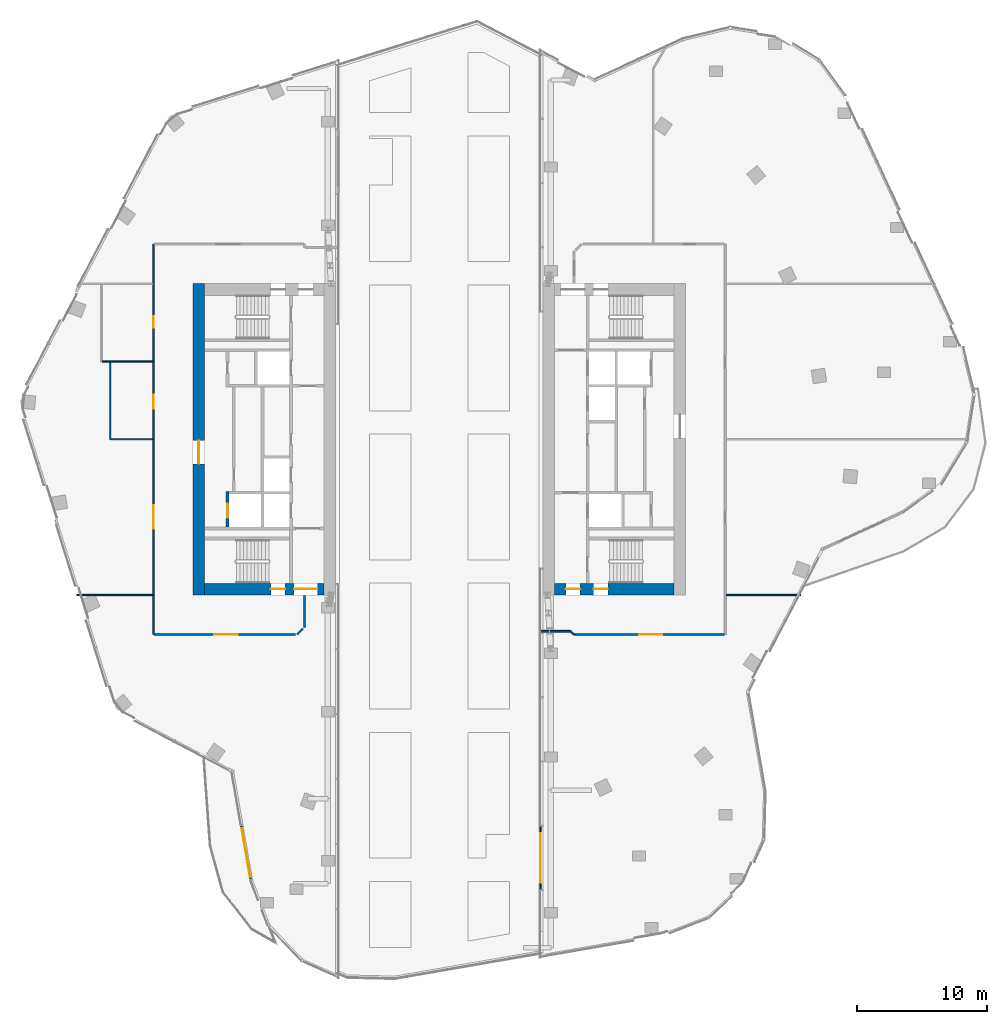
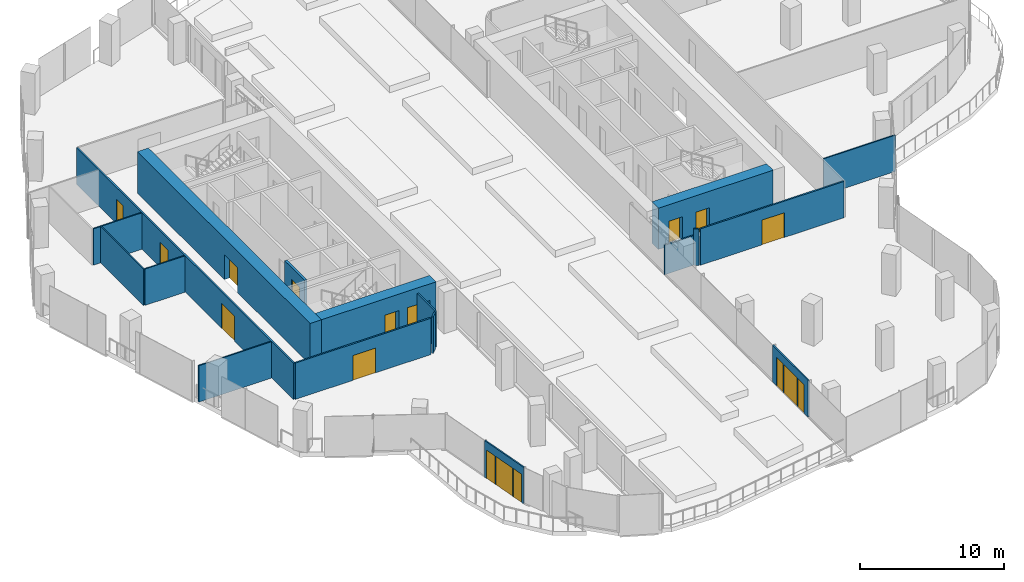
# One storey, part 19 of 26: 18 walls, 13 doors, 4 windows, 17 openings.
"""IFC4 building model written with IfcOpenShell, lengths in metres."""

import ifcopenshell
import ifcopenshell.guid

model = None  # the IFC model being written
_history = None  # IfcOwnerHistory: only IFC2X3 demands one
_inside = {}  # id of a spatial element -> (the spatial element, [elements in it])
_under = {}  # id of a project, library or spatial element -> (it, [spatial elements below it])
_declared = {}  # id of a project -> (the project, [libraries it declares])
_typed = {}  # id of a type object -> (the type object, [elements of that type])
_made_of = {}  # id of a material, layer set ... -> (it, [elements and type objects made of it])


def new_model(schema):
    """Start an empty IFC model of exactly this schema.

    Asked for "IFC4X3", IfcOpenShell would pick the latest addendum, in which some entities
    have other attributes; the version numbers below select the first issue.
    IFC2X3 requires an IfcOwnerHistory on every rooted entity: one is made here for all.
    """
    global model, _history
    if schema == "IFC4X3":
        model = ifcopenshell.file(schema_version=(4, 3, 0, 0))
    else:
        model = ifcopenshell.file(schema=schema)
    _inside.clear()
    _under.clear()
    _declared.clear()
    _typed.clear()
    _made_of.clear()
    _history = None
    if model.schema == "IFC2X3":
        org = make("IfcOrganization", Name="unknown")
        user = make(
            "IfcPersonAndOrganization",
            ThePerson=make("IfcPerson", FamilyName="unknown"),
            TheOrganization=org,
        )
        app = make(
            "IfcApplication",
            ApplicationDeveloper=org,
            Version="unknown",
            ApplicationFullName="unknown",
            ApplicationIdentifier="unknown",
        )
        _history = make(
            "IfcOwnerHistory",
            OwningUser=user,
            OwningApplication=app,
            ChangeAction="ADDED",
            CreationDate=0,
        )
    return model


def make(cls, **values):
    """One entity of the class cls with the attributes given. An attribute that is None is left unset."""
    return model.create_entity(
        cls, **{name: value for name, value in values.items() if value is not None}
    )


def rooted(cls, **values):
    """An entity with a GlobalId (a new one), such as an element, a storey or a relation."""
    return make(cls, GlobalId=ifcopenshell.guid.new(), OwnerHistory=_history, **values)


def si_unit(unit_type, name, prefix=None):
    """IfcSIUnit, for example si_unit("LENGTHUNIT", "METRE", prefix="MILLI")."""
    return make("IfcSIUnit", UnitType=unit_type, Prefix=prefix, Name=name)


def assignment(units):
    """IfcUnitAssignment: the units of a project."""
    return None if units is None else make("IfcUnitAssignment", Units=units)


def point(xyz):
    """IfcCartesianPoint."""
    return None if xyz is None else make("IfcCartesianPoint", Coordinates=xyz)


def direction(xyz):
    """IfcDirection."""
    return None if xyz is None else make("IfcDirection", DirectionRatios=xyz)


def frame(location, z_axis=None, x_axis=None):
    """IfcAxis2Placement3D, a coordinate frame: its origin and axes. An axis left out is left unset."""
    return make(
        "IfcAxis2Placement3D",
        Location=point(location),
        Axis=direction(z_axis),
        RefDirection=direction(x_axis),
    )


def frame_2d(location, x_axis=None):
    """IfcAxis2Placement2D, a coordinate frame in the plane: its origin and x axis."""
    return make(
        "IfcAxis2Placement2D", Location=point(location), RefDirection=direction(x_axis)
    )


def origin():
    """The frame at (0, 0, 0) with its axes left unset."""
    return frame((0.0, 0.0, 0.0))


def place(relative_to, where):
    """IfcLocalPlacement: puts the frame where relative to a parent placement (None: the world)."""
    return make(
        "IfcLocalPlacement", PlacementRelTo=relative_to, RelativePlacement=where
    )


def context(
    kind, dimensions, precision=None, world=None, true_north=None, identifier=None
):
    """IfcGeometricRepresentationContext, for example the 3D "Model" context."""
    return make(
        "IfcGeometricRepresentationContext",
        ContextIdentifier=identifier,
        ContextType=kind,
        CoordinateSpaceDimension=dimensions,
        Precision=precision,
        WorldCoordinateSystem=world,
        TrueNorth=true_north,
    )


def subcontext(parent, identifier, kind, view, scale=None):
    """IfcGeometricRepresentationSubContext, for example "Body" below "Model"."""
    return make(
        "IfcGeometricRepresentationSubContext",
        ContextIdentifier=identifier,
        ContextType=kind,
        ParentContext=parent,
        TargetScale=scale,
        TargetView=view,
    )


def project(units=None, contexts=None):
    """IfcProject with its units and contexts."""
    return rooted(
        "IfcProject",
        Name="project",
        RepresentationContexts=contexts,
        UnitsInContext=assignment(units),
    )


def spatial(cls, under=None, at=None, **own):
    """A site, building, storey or space (cls), placed at a placement, below another one or the project."""
    s = rooted(cls, ObjectPlacement=at, **own)
    if under is not None:
        _under.setdefault(under.id(), (under, []))[1].append(s)
    return s


def profile(cls, at=None, kind="AREA", **sizes):
    """A parametric profile (cls). Its sizes go by their IFC names, for example OverallWidth=200.0."""
    return make(cls, ProfileType=kind, Position=at, **sizes)


def rectangle(**sizes):
    """IfcRectangleProfileDef."""
    return profile("IfcRectangleProfileDef", **sizes)


def extrude(swept, where, along, depth):
    """IfcExtrudedAreaSolid: the profile swept, set in the frame where, extruded along a direction by depth."""
    return make(
        "IfcExtrudedAreaSolid",
        SweptArea=swept,
        Position=where,
        ExtrudedDirection=direction(along),
        Depth=depth,
    )


def shape(context_of_items, identifier, shape_type, items):
    """IfcShapeRepresentation: the items that make up one representation, for example the "Body"."""
    return make(
        "IfcShapeRepresentation",
        ContextOfItems=context_of_items,
        RepresentationIdentifier=identifier,
        RepresentationType=shape_type,
        Items=items,
    )


def material(Name=None, Category=None):
    """IfcMaterial."""
    return make("IfcMaterial", Name=Name, Category=Category)


def layer(
    of_material, thickness, ventilated=None, Name=None, Category=None, Priority=None
):
    """IfcMaterialLayer: one layer of a wall or slab, of a material (None: an air gap)."""
    return make(
        "IfcMaterialLayer",
        Material=of_material,
        LayerThickness=thickness,
        IsVentilated=ventilated,
        Name=Name,
        Category=Category,
        Priority=Priority,
    )


def layer_set(layers, Name=None):
    """IfcMaterialLayerSet."""
    return make("IfcMaterialLayerSet", MaterialLayers=layers, LayerSetName=Name)


def made_of(thing, what):
    """Note that an element or type object is made of a material, layer set ...; save() writes the relation."""
    if what is not None:
        _made_of.setdefault(what.id(), (what, []))[1].append(thing)
    return thing


def type_object(cls, material=None, **own):
    """A type object (cls), such as IfcWallType, which elements share."""
    return made_of(rooted(cls, **own), material)


def element(
    cls,
    number,
    at=None,
    inside=None,
    cuts=None,
    type_object=None,
    material=None,
    context=None,
    identifier="Body",
    shape_type=None,
    held_by="IfcProductDefinitionShape",
    body=None,
    shapes=None,
    **own,
):
    """One element of the class cls, such as IfcWall. Its Tag is "e" and its number.

    at: its placement. inside: the storey or other place that contains it. cuts: it is an
    opening in that element (IfcRelVoidsElement). A single representation is given by context,
    identifier, shape_type and body (its items); several are given by shapes. held_by: the class
    of the entity that holds the representations. save() writes the other relations.
    """
    e = rooted(cls, Tag="e%d" % number, ObjectPlacement=at, **own)
    if body is not None:
        shapes = [shape(context, identifier, shape_type, body)]
    if shapes is not None:
        e.Representation = make(held_by, Representations=shapes)
    if inside is not None:
        _inside.setdefault(inside.id(), (inside, []))[1].append(e)
    if cuts is not None:
        rooted(
            "IfcRelVoidsElement", RelatingBuildingElement=cuts, RelatedOpeningElement=e
        )
    if type_object is not None:
        _typed.setdefault(type_object.id(), (type_object, []))[1].append(e)
    return made_of(e, material)


def fill(opening, filler):
    """IfcRelFillsElement: the door or window that sits in an opening."""
    return rooted(
        "IfcRelFillsElement",
        RelatingOpeningElement=opening,
        RelatedBuildingElement=filler,
    )


def aggregate(whole, parts):
    """IfcRelAggregates: a whole, such as a stair, and the parts it consists of."""
    return rooted("IfcRelAggregates", RelatingObject=whole, RelatedObjects=parts)


def save(model, path):
    """Write the relations noted so far, then the file.

    IfcRelAggregates (storeys below a building ...), IfcRelContainedInSpatialStructure (elements
    in a storey), IfcRelDefinesByType, IfcRelAssociatesMaterial and IfcRelDeclares: one each for
    every whole, place, type object, material and project.
    """
    for whole, parts in _under.values():
        aggregate(whole, parts)
    for where, things in _inside.values():
        rooted(
            "IfcRelContainedInSpatialStructure",
            RelatedElements=things,
            RelatingStructure=where,
        )
    for kind, things in _typed.values():
        rooted("IfcRelDefinesByType", RelatedObjects=things, RelatingType=kind)
    for what, things in _made_of.values():
        rooted("IfcRelAssociatesMaterial", RelatedObjects=things, RelatingMaterial=what)
    for by, libraries in _declared.values():
        rooted("IfcRelDeclares", RelatingContext=by, RelatedDefinitions=libraries)
    model.write(path)


model = new_model("IFC4")

# Units and contexts
model_context = context("Model", 3, precision=1e-05, world=origin(), true_north=direction((0.0, 1.0)))
body_context = subcontext(model_context, "Body", "Model", "MODEL_VIEW")
ifc_project = project(units=[si_unit("LENGTHUNIT", "METRE"), si_unit("AREAUNIT", "SQUARE_METRE"), si_unit("VOLUMEUNIT", "CUBIC_METRE"), si_unit("PLANEANGLEUNIT", "RADIAN"), si_unit("MASSUNIT", "GRAM", prefix="KILO")], contexts=[model_context])

# Site, building, storey
site_placement = place(None, origin())
site = spatial("IfcSite", under=ifc_project, at=site_placement, CompositionType="ELEMENT")
building_placement = place(site_placement, origin())
building = spatial("IfcBuilding", under=site, at=building_placement, Name="Orlundy Tower", CompositionType="ELEMENT")
storey_placement = place(building_placement, frame((0.0, 0.0, 253.5)))
storey = spatial("IfcBuildingStorey", under=building, at=storey_placement, Name="L67", CompositionType="ELEMENT", Elevation=253.5)

# Wall, openings, doors
ifc_material_1 = material(Name="Concrete C60/75", Category="concrete")
ifc_layer_1 = layer(ifc_material_1, 0.89990234375)
ifc_layer_set_1 = layer_set([ifc_layer_1], Name="CORE WALL 900 C60/75")
wall_type_1 = type_object("IfcWallType", Name="CORE WALL 900 C60/75", PredefinedType="SHEAR", material=ifc_layer_set_1)
wall_1_placement = place(storey_placement, frame((-18.10009765625, -11.550048828125, 0.0), z_axis=(0.0, 0.0, 1.0), x_axis=(1.0, 0.0, 0.0)))
wall_1 = element("IfcWall", 1, at=wall_1_placement, inside=storey, type_object=wall_type_1, Name="Core wall W-S L67", PredefinedType="SHEAR", context=body_context, shape_type="SweptSolid", body=[
    extrude(rectangle(XDim=9.2001953125, YDim=0.89990234375, at=frame_2d((4.60009765625, 0.0))), origin(), (0.0, 0.0, 1.0), 3.5),
])
opening_1_placement = place(wall_1_placement, frame((6.89990234375, 0.0, 0.0)))
opening_1 = element("IfcOpeningElement", 2, at=opening_1_placement, cuts=wall_1, Name="Opening 51012", PredefinedType="OPENING", context=body_context, shape_type="SweptSolid", body=[
    extrude(rectangle(XDim=1.800048828125, YDim=2.10009765625, at=frame_2d((0.89990234375, 1.050048828125))), frame((0.0, 0.4599609375, 0.0), z_axis=(0.0, -1.0, 0.0), x_axis=(1.0, 0.0, 0.0)), (0.0, 0.0, 1.0), 0.919921875),
])
opening_2_placement = place(wall_1_placement, frame((5.10009765625, 0.0, 0.0)))
opening_2 = element("IfcOpeningElement", 3, at=opening_2_placement, cuts=wall_1, Name="Opening 51014", PredefinedType="OPENING", context=body_context, shape_type="SweptSolid", body=[
    extrude(rectangle(XDim=1.10009765625, YDim=2.10009765625, at=frame_2d((0.550048828125, 1.050048828125))), frame((0.0, 0.4599609375, 0.0), z_axis=(0.0, -1.0, 0.0), x_axis=(1.0, 0.0, 0.0)), (0.0, 0.0, 1.0), 0.919921875),
])
ifc_material_2 = material(Name="Timber door set", Category="wood")
door_type_1 = type_object("IfcDoorType", Name="Lobby Door 1800x2100", OperationType="DOUBLE_DOOR_DOUBLE_SWING", PredefinedType="DOOR", material=ifc_material_2)
door_1_placement = place(opening_1_placement, origin())
door_1 = element("IfcDoor", 4, at=door_1_placement, inside=storey, type_object=door_type_1, Name="Passage door 51012", OperationType="SINGLE_SWING_RIGHT", OverallHeight=2.10009765625, OverallWidth=1.800048828125, PredefinedType="DOOR", context=body_context, shape_type="SweptSolid", body=[
    extrude(rectangle(XDim=1.800048828125, YDim=2.10009765625, at=frame_2d((0.89990234375, 1.050048828125))), frame((0.0, 0.02490234375, 0.0), z_axis=(0.0, -1.0, 0.0), x_axis=(1.0, 0.0, 0.0)), (0.0, 0.0, 1.0), 0.050048828125),
])
fill(opening_1, door_1)
ifc_material_3 = material(Name="Steel door set", Category="steel")
door_type_2 = type_object("IfcDoorType", Name="Stair Door 1100x2100", OperationType="SINGLE_SWING_LEFT", PredefinedType="DOOR", material=ifc_material_3)
door_2_placement = place(opening_2_placement, origin())
door_2 = element("IfcDoor", 5, at=door_2_placement, inside=storey, type_object=door_type_2, Name="Stair door 51014", OperationType="SINGLE_SWING_RIGHT", OverallHeight=2.10009765625, OverallWidth=1.10009765625, PredefinedType="DOOR", context=body_context, shape_type="SweptSolid", body=[
    extrude(rectangle(XDim=1.10009765625, YDim=2.10009765625, at=frame_2d((0.550048828125, 1.050048828125))), frame((0.0, 0.02490234375, 0.0), z_axis=(0.0, -1.0, 0.0), x_axis=(1.0, 0.0, 0.0)), (0.0, 0.0, 1.0), 0.050048828125),
])
fill(opening_2, door_2)

# Wall, opening, door
wall_2_placement = place(storey_placement, frame((-18.550048828125, -12.0, 0.0), z_axis=(0.0, 0.0, 1.0), x_axis=(0.0, 1.0, 0.0)))
wall_2 = element("IfcWall", 6, at=wall_2_placement, inside=storey, type_object=wall_type_1, Name="Core wall W-W L67", PredefinedType="SHEAR", context=body_context, shape_type="SweptSolid", body=[
    extrude(rectangle(XDim=24.0, YDim=0.89990234375, at=frame_2d((12.0, 0.0))), origin(), (0.0, 0.0, 1.0), 3.5),
])
opening_3_placement = place(wall_2_placement, frame((10.10009765625, 0.0, 0.0)))
opening_3 = element("IfcOpeningElement", 7, at=opening_3_placement, cuts=wall_2, Name="Opening 51008", PredefinedType="OPENING", context=body_context, shape_type="SweptSolid", body=[
    extrude(rectangle(XDim=1.800048828125, YDim=2.10009765625, at=frame_2d((0.89990234375, 1.050048828125))), frame((0.0, 0.4599609375, 0.0), z_axis=(0.0, -1.0, 0.0), x_axis=(1.0, 0.0, 0.0)), (0.0, 0.0, 1.0), 0.919921875),
])
door_3_placement = place(opening_3_placement, origin())
door_3 = element("IfcDoor", 8, at=door_3_placement, inside=storey, type_object=door_type_1, Name="Lift lobby door 51008", OperationType="SINGLE_SWING_LEFT", OverallHeight=2.10009765625, OverallWidth=1.800048828125, PredefinedType="DOOR", context=body_context, shape_type="SweptSolid", body=[
    extrude(rectangle(XDim=1.800048828125, YDim=2.10009765625, at=frame_2d((0.89990234375, 1.050048828125))), frame((0.0, 0.02490234375, 0.0), z_axis=(0.0, -1.0, 0.0), x_axis=(1.0, 0.0, 0.0)), (0.0, 0.0, 1.0), 0.050048828125),
])
fill(opening_3, door_3)

# Wall, openings, doors
wall_3_placement = place(storey_placement, frame((8.89990234375, -11.550048828125, 0.0), z_axis=(0.0, 0.0, 1.0), x_axis=(1.0, 0.0, 0.0)))
wall_3 = element("IfcWall", 9, at=wall_3_placement, inside=storey, type_object=wall_type_1, Name="Core wall E-S L67", PredefinedType="SHEAR", context=body_context, shape_type="SweptSolid", body=[
    extrude(rectangle(XDim=9.2001953125, YDim=0.89990234375, at=frame_2d((4.60009765625, 0.0))), origin(), (0.0, 0.0, 1.0), 3.5),
])
opening_4_placement = place(wall_3_placement, frame((0.85009765625, 0.0, 0.0)))
opening_4 = element("IfcOpeningElement", 10, at=opening_4_placement, cuts=wall_3, Name="Opening 51058", PredefinedType="OPENING", context=body_context, shape_type="SweptSolid", body=[
    extrude(rectangle(XDim=1.10009765625, YDim=2.10009765625, at=frame_2d((0.550048828125, 1.050048828125))), frame((0.0, 0.4599609375, 0.0), z_axis=(0.0, -1.0, 0.0), x_axis=(1.0, 0.0, 0.0)), (0.0, 0.0, 1.0), 0.919921875),
])
opening_5_placement = place(wall_3_placement, frame((3.0, 0.0, 0.0)))
opening_5 = element("IfcOpeningElement", 11, at=opening_5_placement, cuts=wall_3, Name="Opening 51062", PredefinedType="OPENING", context=body_context, shape_type="SweptSolid", body=[
    extrude(rectangle(XDim=1.10009765625, YDim=2.10009765625, at=frame_2d((0.550048828125, 1.050048828125))), frame((0.0, 0.4599609375, 0.0), z_axis=(0.0, -1.0, 0.0), x_axis=(1.0, 0.0, 0.0)), (0.0, 0.0, 1.0), 0.919921875),
])
ifc_material_4 = material(Name="Steel door set", Category="steel")
door_type_3 = type_object("IfcDoorType", Name="Fire-fighting Lobby Door 1100x2100", OperationType="SINGLE_SWING_LEFT", PredefinedType="DOOR", material=ifc_material_4)
door_4_placement = place(opening_4_placement, origin())
door_4 = element("IfcDoor", 12, at=door_4_placement, inside=storey, type_object=door_type_3, Name="Fire-fighting lobby door 51058", OperationType="SINGLE_SWING_LEFT", OverallHeight=2.10009765625, OverallWidth=1.10009765625, PredefinedType="DOOR", context=body_context, shape_type="SweptSolid", body=[
    extrude(rectangle(XDim=1.10009765625, YDim=2.10009765625, at=frame_2d((0.550048828125, 1.050048828125))), frame((0.0, 0.02490234375, 0.0), z_axis=(0.0, -1.0, 0.0), x_axis=(1.0, 0.0, 0.0)), (0.0, 0.0, 1.0), 0.050048828125),
])
fill(opening_4, door_4)
door_5_placement = place(opening_5_placement, origin())
door_5 = element("IfcDoor", 13, at=door_5_placement, inside=storey, type_object=door_type_2, Name="Stair door 51062", OperationType="SINGLE_SWING_LEFT", OverallHeight=2.10009765625, OverallWidth=1.10009765625, PredefinedType="DOOR", context=body_context, shape_type="SweptSolid", body=[
    extrude(rectangle(XDim=1.10009765625, YDim=2.10009765625, at=frame_2d((0.550048828125, 1.050048828125))), frame((0.0, 0.02490234375, 0.0), z_axis=(0.0, -1.0, 0.0), x_axis=(1.0, 0.0, 0.0)), (0.0, 0.0, 1.0), 0.050048828125),
])
fill(opening_5, door_5)

# Walls
ifc_material_5 = material(Name="Gypsum board partition")
ifc_layer_2 = layer(ifc_material_5, 0.10009765625)
ifc_layer_set_2 = layer_set([ifc_layer_2], Name="Floor partition 100")
wall_type_2 = type_object("IfcWallType", Name="Floor partition 100", PredefinedType="PARTITIONING", material=ifc_layer_set_2)
wall_4_placement = place(storey_placement, frame((-27.944091796875, -12.0, 0.0), z_axis=(0.0, 0.0, 1.0), x_axis=(1.0, 0.0, 0.0)))
element("IfcWall", 14, at=wall_4_placement, inside=storey, type_object=wall_type_2, Name="wall-int-L67-004", PredefinedType="PARTITIONING", context=body_context, shape_type="SweptSolid", body=[
    extrude(rectangle(XDim=5.8310546875, YDim=0.10009765625, at=frame_2d((2.91552734375, 0.0))), origin(), (0.0, 0.0, 1.0), 3.080078125),
])
wall_5_placement = place(storey_placement, frame((22.113037109375, -12.0, 0.0), z_axis=(0.0, 0.0, 1.0), x_axis=(1.0, 0.0, 0.0)))
element("IfcWall", 15, at=wall_5_placement, inside=storey, type_object=wall_type_2, Name="wall-int-L67-005", PredefinedType="PARTITIONING", context=body_context, shape_type="SweptSolid", body=[
    extrude(rectangle(XDim=5.7509765625, YDim=0.10009765625, at=frame_2d((2.87548828125, 0.0))), origin(), (0.0, 0.0, 1.0), 3.080078125),
])
wall_6_placement = place(storey_placement, frame((-25.3310546875, 0.0009765625, 0.0), z_axis=(0.0, 0.0, 1.0), x_axis=(1.0, 0.0, 0.0)))
element("IfcWall", 16, at=wall_6_placement, inside=storey, type_object=wall_type_2, Name="wall-int-L67-006", PredefinedType="PARTITIONING", context=body_context, shape_type="SweptSolid", body=[
    extrude(rectangle(XDim=3.218017578125, YDim=0.10009765625, at=frame_2d((1.60888671875, 0.0))), origin(), (0.0, 0.0, 1.0), 3.080078125),
])
wall_7_placement = place(storey_placement, frame((-25.998046875, 6.0009765625, 0.0), z_axis=(0.0, 0.0, 1.0), x_axis=(1.0, 0.0, 0.0)))
element("IfcWall", 17, at=wall_7_placement, inside=storey, type_object=wall_type_2, Name="wall-int-L67-008", PredefinedType="PARTITIONING", context=body_context, shape_type="SweptSolid", body=[
    extrude(rectangle(XDim=3.885009765625, YDim=0.10009765625, at=frame_2d((1.9423828125, 0.0))), origin(), (0.0, 0.0, 1.0), 3.080078125),
])
wall_8_placement = place(storey_placement, frame((-25.382080078125, 0.001953125, 0.0), z_axis=(0.0, 0.0, 1.0), x_axis=(0.0, 1.0, 0.0)))
element("IfcWall", 18, at=wall_8_placement, inside=storey, type_object=wall_type_2, Name="wall-int-L67-024", PredefinedType="PARTITIONING", context=body_context, shape_type="SweptSolid", body=[
    extrude(rectangle(XDim=5.948974609375, YDim=0.10009765625, at=frame_2d((2.974609375, 0.0))), origin(), (0.0, 0.0, 1.0), 3.080078125),
])

# Wall, opening, door
ifc_material_6 = material(Name="Gypsum board partition, double layer")
ifc_layer_3 = layer(ifc_material_6, 0.125)
ifc_layer_set_3 = layer_set([ifc_layer_3], Name="Floor partition 125")
wall_type_3 = type_object("IfcWallType", Name="Floor partition 125", PredefinedType="PARTITIONING", material=ifc_layer_set_3)
wall_9_placement = place(storey_placement, frame((-11.110107421875, -15.051025390625, 0.0), z_axis=(0.0, 0.0, 1.0), x_axis=(-1.0, 0.0, 0.0)))
wall_9 = element("IfcWall", 19, at=wall_9_placement, inside=storey, type_object=wall_type_3, Name="wall-int-L67-001", PredefinedType="PARTITIONING", context=body_context, shape_type="SweptSolid", body=[
    extrude(rectangle(XDim=10.8779296875, YDim=0.125, at=frame_2d((5.43896484375, 0.0))), origin(), (0.0, 0.0, 1.0), 3.080078125),
])
opening_6_placement = place(wall_9_placement, frame((4.44921875, 0.0, 0.0)))
opening_6 = element("IfcOpeningElement", 20, at=opening_6_placement, cuts=wall_9, Name="Opening 51100", PredefinedType="OPENING", context=body_context, shape_type="SweptSolid", body=[
    extrude(rectangle(XDim=1.800048828125, YDim=2.10009765625, at=frame_2d((0.89990234375, 1.050048828125))), frame((0.0, 0.072509765625, 0.0), z_axis=(0.0, -1.0, 0.0), x_axis=(1.0, 0.0, 0.0)), (0.0, 0.0, 1.0), 0.14501953125),
])
ifc_material_7 = material(Name="Timber door leaf", Category="wood")
door_type_4 = type_object("IfcDoorType", Name="Floor door double 1800 FD30S", OperationType="NOTDEFINED", PredefinedType="DOOR", material=ifc_material_7)
door_6_placement = place(opening_6_placement, origin())
door_6 = element("IfcDoor", 21, at=door_6_placement, inside=storey, type_object=door_type_4, Name="Door 51100", OperationType="DOUBLE_DOOR_SINGLE_SWING", OverallHeight=2.10009765625, OverallWidth=1.800048828125, PredefinedType="DOOR", context=body_context, shape_type="SweptSolid", body=[
    extrude(rectangle(XDim=1.800048828125, YDim=2.10009765625, at=frame_2d((0.89990234375, 1.050048828125))), frame((0.0, 0.02490234375, 0.0), z_axis=(0.0, -1.0, 0.0), x_axis=(1.0, 0.0, 0.0)), (0.0, 0.0, 1.0), 0.050048828125),
])
fill(opening_6, door_6)

wall_10_placement = place(storey_placement, frame((21.988037109375, -15.051025390625, 0.0), z_axis=(0.0, 0.0, 1.0), x_axis=(-1.0, 0.0, 0.0)))
wall_10 = element("IfcWall", 22, at=wall_10_placement, inside=storey, type_object=wall_type_3, Name="wall-int-L67-002", PredefinedType="PARTITIONING", context=body_context, shape_type="SweptSolid", body=[
    extrude(rectangle(XDim=11.525146484375, YDim=0.125, at=frame_2d((5.7626953125, 0.0))), origin(), (0.0, 0.0, 1.0), 3.080078125),
])
opening_7_placement = place(wall_10_placement, frame((4.78759765625, 0.0, 0.0)))
opening_7 = element("IfcOpeningElement", 23, at=opening_7_placement, cuts=wall_10, Name="Opening 51101", PredefinedType="OPENING", context=body_context, shape_type="SweptSolid", body=[
    extrude(rectangle(XDim=1.800048828125, YDim=2.10009765625, at=frame_2d((0.89990234375, 1.050048828125))), frame((0.0, 0.072509765625, 0.0), z_axis=(0.0, -1.0, 0.0), x_axis=(1.0, 0.0, 0.0)), (0.0, 0.0, 1.0), 0.14501953125),
])
door_7_placement = place(opening_7_placement, origin())
door_7 = element("IfcDoor", 24, at=door_7_placement, inside=storey, type_object=door_type_4, Name="Door 51101", OperationType="DOUBLE_DOOR_SINGLE_SWING", OverallHeight=2.10009765625, OverallWidth=1.800048828125, PredefinedType="DOOR", context=body_context, shape_type="SweptSolid", body=[
    extrude(rectangle(XDim=1.800048828125, YDim=2.10009765625, at=frame_2d((0.89990234375, 1.050048828125))), frame((0.0, 0.02490234375, 0.0), z_axis=(0.0, -1.0, 0.0), x_axis=(1.0, 0.0, 0.0)), (0.0, 0.0, 1.0), 0.050048828125),
])
fill(opening_7, door_7)

# Walls
wall_11_placement = place(storey_placement, frame((-10.951904296875, -15.030029296875, 0.0), z_axis=(0.0, 0.0, 1.0), x_axis=(0.706902680526, 0.707310822952, 0.0)))
element("IfcWall", 25, at=wall_11_placement, inside=storey, type_object=wall_type_3, Name="wall-int-L67-014", PredefinedType="PARTITIONING", context=body_context, shape_type="SweptSolid", body=[
    extrude(rectangle(XDim=0.59814453125, YDim=0.125, at=frame_2d((0.299072265625, 0.0))), origin(), (0.0, 0.0, 1.0), 3.080078125),
])
wall_12_placement = place(storey_placement, frame((10.39990234375, -15.051025390625, 0.0), z_axis=(0.0, 0.0, 1.0), x_axis=(-0.78039198874, 0.625290607566, 0.0)))
element("IfcWall", 26, at=wall_12_placement, inside=storey, type_object=wall_type_3, Name="wall-int-L67-019", PredefinedType="PARTITIONING", context=body_context, shape_type="SweptSolid", body=[
    extrude(rectangle(XDim=0.39990234375, YDim=0.125, at=frame_2d((0.199951171875, 0.0))), origin(), (0.0, 0.0, 1.0), 3.080078125),
])
wall_13_placement = place(storey_placement, frame((-10.39892578125, -14.490966796875, 0.0), z_axis=(0.0, 0.0, 1.0), x_axis=(0.0, 1.0, 0.0)))
element("IfcWall", 27, at=wall_13_placement, inside=storey, type_object=wall_type_3, Name="wall-int-L67-021", PredefinedType="PARTITIONING", context=body_context, shape_type="SweptSolid", body=[
    extrude(rectangle(XDim=2.44091796875, YDim=0.125, at=frame_2d((1.220458984375, 0.0))), origin(), (0.0, 0.0, 1.0), 3.080078125),
])

# Wall, openings, doors
wall_14_placement = place(storey_placement, frame((-22.050048828125, -15.051025390625, 0.0), z_axis=(0.0, 0.0, 1.0), x_axis=(0.0, 1.0, 0.0)))
wall_14 = element("IfcWall", 28, at=wall_14_placement, inside=storey, type_object=wall_type_3, Name="wall-int-L67-023", PredefinedType="PARTITIONING", context=body_context, shape_type="SweptSolid", body=[
    extrude(rectangle(XDim=30.10205078125, YDim=0.125, at=frame_2d((15.051025390625, 0.0))), origin(), (0.0, 0.0, 1.0), 3.080078125),
])
opening_8_placement = place(wall_14_placement, frame((8.15087890625, 0.0, 0.0)))
opening_8 = element("IfcOpeningElement", 29, at=opening_8_placement, cuts=wall_14, Name="Opening 51107", PredefinedType="OPENING", context=body_context, shape_type="SweptSolid", body=[
    extrude(rectangle(XDim=1.800048828125, YDim=2.10009765625, at=frame_2d((0.89990234375, 1.050048828125))), frame((0.0, 0.072509765625, 0.0), z_axis=(0.0, -1.0, 0.0), x_axis=(1.0, 0.0, 0.0)), (0.0, 0.0, 1.0), 0.14501953125),
])
opening_9_placement = place(wall_14_placement, frame((23.652099609375, 0.0, 0.0)))
opening_9 = element("IfcOpeningElement", 30, at=opening_9_placement, cuts=wall_14, Name="Opening 51108", PredefinedType="OPENING", context=body_context, shape_type="SweptSolid", body=[
    extrude(rectangle(XDim=0.89990234375, YDim=2.10009765625, at=frame_2d((0.449951171875, 1.050048828125))), frame((0.0, 0.072509765625, 0.0), z_axis=(0.0, -1.0, 0.0), x_axis=(1.0, 0.0, 0.0)), (0.0, 0.0, 1.0), 0.14501953125),
])
opening_10_placement = place(wall_14_placement, frame((17.403076171875, 0.0, 0.0)))
opening_10 = element("IfcOpeningElement", 31, at=opening_10_placement, cuts=wall_14, Name="Opening 51109", PredefinedType="OPENING", context=body_context, shape_type="SweptSolid", body=[
    extrude(rectangle(XDim=1.10009765625, YDim=2.10009765625, at=frame_2d((0.550048828125, 1.050048828125))), frame((0.0, 0.072509765625, 0.0), z_axis=(0.0, -1.0, 0.0), x_axis=(1.0, 0.0, 0.0)), (0.0, 0.0, 1.0), 0.14501953125),
])
door_8_placement = place(opening_8_placement, origin())
door_8 = element("IfcDoor", 32, at=door_8_placement, inside=storey, type_object=door_type_4, Name="Door 51107", OperationType="DOUBLE_DOOR_SINGLE_SWING", OverallHeight=2.10009765625, OverallWidth=1.800048828125, PredefinedType="DOOR", context=body_context, shape_type="SweptSolid", body=[
    extrude(rectangle(XDim=1.800048828125, YDim=2.10009765625, at=frame_2d((0.89990234375, 1.050048828125))), frame((0.0, 0.02490234375, 0.0), z_axis=(0.0, -1.0, 0.0), x_axis=(1.0, 0.0, 0.0)), (0.0, 0.0, 1.0), 0.050048828125),
])
fill(opening_8, door_8)
ifc_material_8 = material(Name="Timber door leaf", Category="wood")
door_type_5 = type_object("IfcDoorType", Name="Floor door single 900 FD30S", OperationType="NOTDEFINED", PredefinedType="DOOR", material=ifc_material_8)
door_9_placement = place(opening_9_placement, origin())
door_9 = element("IfcDoor", 33, at=door_9_placement, inside=storey, type_object=door_type_5, Name="Door 51108", OperationType="SINGLE_SWING_RIGHT", OverallHeight=2.10009765625, OverallWidth=0.89990234375, PredefinedType="DOOR", context=body_context, shape_type="SweptSolid", body=[
    extrude(rectangle(XDim=0.89990234375, YDim=2.10009765625, at=frame_2d((0.449951171875, 1.050048828125))), frame((0.0, 0.02490234375, 0.0), z_axis=(0.0, -1.0, 0.0), x_axis=(1.0, 0.0, 0.0)), (0.0, 0.0, 1.0), 0.050048828125),
])
fill(opening_9, door_9)
ifc_material_9 = material(Name="Timber door leaf", Category="wood")
door_type_6 = type_object("IfcDoorType", Name="Floor door xwide 1100 FD30S", OperationType="NOTDEFINED", PredefinedType="DOOR", material=ifc_material_9)
door_10_placement = place(opening_10_placement, origin())
door_10 = element("IfcDoor", 34, at=door_10_placement, inside=storey, type_object=door_type_6, Name="Door 51109", OperationType="SINGLE_SWING_RIGHT", OverallHeight=2.10009765625, OverallWidth=1.10009765625, PredefinedType="DOOR", context=body_context, shape_type="SweptSolid", body=[
    extrude(rectangle(XDim=1.10009765625, YDim=2.10009765625, at=frame_2d((0.550048828125, 1.050048828125))), frame((0.0, 0.02490234375, 0.0), z_axis=(0.0, -1.0, 0.0), x_axis=(1.0, 0.0, 0.0)), (0.0, 0.0, 1.0), 0.050048828125),
])
fill(opening_10, door_10)

# Wall
ifc_material_10 = material(Name="Gypsum board partition, double layer")
ifc_layer_4 = layer(ifc_material_10, 0.125)
ifc_layer_set_4 = layer_set([ifc_layer_4], Name="Floor partition 125 B")
wall_type_4 = type_object("IfcWallType", Name="Floor partition 125 B", PredefinedType="PARTITIONING", material=ifc_layer_set_4)
wall_15_placement = place(storey_placement, frame((7.75, -14.801025390625, 0.0), z_axis=(0.0, 0.0, 1.0), x_axis=(1.0, 0.0, 0.0)))
element("IfcWall", 35, at=wall_15_placement, inside=storey, type_object=wall_type_4, Name="wall-int-L67-003", PredefinedType="PARTITIONING", context=body_context, shape_type="SweptSolid", body=[
    extrude(rectangle(XDim=2.337890625, YDim=0.125, at=frame_2d((1.1689453125, 0.0))), origin(), (0.0, 0.0, 1.0), 2.496337890625),
])

# Wall, openings, windows, door
ifc_material_11 = material(Name="Aluminium bronze and tinted glass", Category="aluminium")
ifc_layer_5 = layer(ifc_material_11, 0.10009765625)
ifc_layer_set_5 = layer_set([ifc_layer_5], Name="Glazed door screen")
wall_type_5 = type_object("IfcWallType", Name="Glazed door screen", PredefinedType="STANDARD", material=ifc_layer_set_5)
wall_16_placement = place(storey_placement, frame((-14.54150390625, -33.973388671875, 0.0), z_axis=(0.0, 0.0, 1.0), x_axis=(-0.170803150689, 0.985305172885, 0.0)))
wall_16 = element("IfcWall", 36, at=wall_16_placement, inside=storey, type_object=wall_type_5, Name="Glazed door screen", PredefinedType="STANDARD", context=body_context, shape_type="SweptSolid", body=[
    extrude(rectangle(XDim=4.232421875, YDim=0.10009765625, at=frame_2d((2.1162109375, 0.0))), origin(), (0.0, 0.0, 1.0), 3.10009765625),
])
opening_11_placement = place(wall_16_placement, frame((1.224365234375, 0.0, 0.0)))
opening_11 = element("IfcOpeningElement", 37, at=opening_11_placement, cuts=wall_16, Name="Opening 51941", PredefinedType="OPENING", context=body_context, shape_type="SweptSolid", body=[
    extrude(rectangle(XDim=1.800048828125, YDim=2.39990234375, at=frame_2d((0.89990234375, 1.199951171875))), frame((0.0, 0.06005859375, 0.0), z_axis=(0.0, -1.0, 0.0), x_axis=(1.0, 0.0, 0.0)), (0.0, 0.0, 1.0), 0.1201171875),
])
opening_12_placement = place(wall_16_placement, frame((0.224365234375, 0.0, 0.0)))
opening_12 = element("IfcOpeningElement", 38, at=opening_12_placement, cuts=wall_16, Name="Opening W02", PredefinedType="OPENING", context=body_context, shape_type="SweptSolid", body=[
    extrude(rectangle(XDim=0.89990234375, YDim=2.39990234375, at=frame_2d((0.449951171875, 1.199951171875))), frame((0.0, 0.06005859375, 0.0), z_axis=(0.0, -1.0, 0.0), x_axis=(1.0, 0.0, 0.0)), (0.0, 0.0, 1.0), 0.1201171875),
])
opening_13_placement = place(wall_16_placement, frame((3.124267578125, 0.0, 0.0)))
opening_13 = element("IfcOpeningElement", 39, at=opening_13_placement, cuts=wall_16, Name="Opening W02", PredefinedType="OPENING", context=body_context, shape_type="SweptSolid", body=[
    extrude(rectangle(XDim=0.89990234375, YDim=2.39990234375, at=frame_2d((0.449951171875, 1.199951171875))), frame((0.0, 0.06005859375, 0.0), z_axis=(0.0, -1.0, 0.0), x_axis=(1.0, 0.0, 0.0)), (0.0, 0.0, 1.0), 0.1201171875),
])
ifc_material_12 = material(Name="Tinted glass in bronze aluminium frame", Category="aluminium")
window_type = type_object("IfcWindowType", Name="SL2 sidelight 900x2400", PartitioningType="SINGLE_PANEL", PredefinedType="WINDOW", material=ifc_material_12)
window_1_placement = place(opening_12_placement, origin())
window_1 = element("IfcWindow", 40, at=window_1_placement, inside=storey, type_object=window_type, Name="Window W02 L67", OverallHeight=2.39990234375, OverallWidth=0.89990234375, PartitioningType="SINGLE_PANEL", PredefinedType="WINDOW", context=body_context, shape_type="SweptSolid", body=[
    extrude(rectangle(XDim=0.89990234375, YDim=2.39990234375, at=frame_2d((0.449951171875, 1.199951171875))), frame((0.0, 0.030029296875, 0.0), z_axis=(0.0, -1.0, 0.0), x_axis=(1.0, 0.0, 0.0)), (0.0, 0.0, 1.0), 0.06005859375),
])
fill(opening_12, window_1)
window_2_placement = place(opening_13_placement, origin())
window_2 = element("IfcWindow", 41, at=window_2_placement, inside=storey, type_object=window_type, Name="Window W02 L67", OverallHeight=2.39990234375, OverallWidth=0.89990234375, PartitioningType="SINGLE_PANEL", PredefinedType="WINDOW", context=body_context, shape_type="SweptSolid", body=[
    extrude(rectangle(XDim=0.89990234375, YDim=2.39990234375, at=frame_2d((0.449951171875, 1.199951171875))), frame((0.0, 0.030029296875, 0.0), z_axis=(0.0, -1.0, 0.0), x_axis=(1.0, 0.0, 0.0)), (0.0, 0.0, 1.0), 0.06005859375),
])
fill(opening_13, window_2)
ifc_material_13 = material(Name="Aluminium bronze and tinted glass", Category="aluminium")
door_type_7 = type_object("IfcDoorType", Name="TD1 terrace door 1800x2400", OperationType="NOTDEFINED", PredefinedType="DOOR", material=ifc_material_13)
door_11_placement = place(opening_11_placement, origin())
door_11 = element("IfcDoor", 42, at=door_11_placement, inside=storey, type_object=door_type_7, Name="Door 51941", OperationType="DOUBLE_DOOR_SINGLE_SWING", OverallHeight=2.39990234375, OverallWidth=1.800048828125, PredefinedType="DOOR", context=body_context, shape_type="SweptSolid", body=[
    extrude(rectangle(XDim=1.800048828125, YDim=2.39990234375, at=frame_2d((0.89990234375, 1.199951171875))), frame((0.0, 0.02490234375, 0.0), z_axis=(0.0, -1.0, 0.0), x_axis=(1.0, 0.0, 0.0)), (0.0, 0.0, 1.0), 0.050048828125),
])
fill(opening_11, door_11)

wall_17_placement = place(storey_placement, frame((7.81005859375, -34.76025390625, 0.0), z_axis=(0.0, 0.0, 1.0), x_axis=(0.0, 1.0, 0.0)))
wall_17 = element("IfcWall", 43, at=wall_17_placement, inside=storey, type_object=wall_type_5, Name="Glazed door screen", PredefinedType="STANDARD", context=body_context, shape_type="SweptSolid", body=[
    extrude(rectangle(XDim=4.95703125, YDim=0.10009765625, at=frame_2d((2.478515625, 0.0))), origin(), (0.0, 0.0, 1.0), 3.10009765625),
])
opening_14_placement = place(wall_17_placement, frame((1.578369140625, 0.0, 0.0)))
opening_14 = element("IfcOpeningElement", 44, at=opening_14_placement, cuts=wall_17, Name="Opening 51943", PredefinedType="OPENING", context=body_context, shape_type="SweptSolid", body=[
    extrude(rectangle(XDim=1.800048828125, YDim=2.39990234375, at=frame_2d((0.89990234375, 1.199951171875))), frame((0.0, 0.06005859375, 0.0), z_axis=(0.0, -1.0, 0.0), x_axis=(1.0, 0.0, 0.0)), (0.0, 0.0, 1.0), 0.1201171875),
])
opening_15_placement = place(wall_17_placement, frame((0.578369140625, 0.0, 0.0)))
opening_15 = element("IfcOpeningElement", 45, at=opening_15_placement, cuts=wall_17, Name="Opening W02", PredefinedType="OPENING", context=body_context, shape_type="SweptSolid", body=[
    extrude(rectangle(XDim=0.89990234375, YDim=2.39990234375, at=frame_2d((0.449951171875, 1.199951171875))), frame((0.0, 0.06005859375, 0.0), z_axis=(0.0, -1.0, 0.0), x_axis=(1.0, 0.0, 0.0)), (0.0, 0.0, 1.0), 0.1201171875),
])
opening_16_placement = place(wall_17_placement, frame((3.478515625, 0.0, 0.0)))
opening_16 = element("IfcOpeningElement", 46, at=opening_16_placement, cuts=wall_17, Name="Opening W02", PredefinedType="OPENING", context=body_context, shape_type="SweptSolid", body=[
    extrude(rectangle(XDim=0.89990234375, YDim=2.39990234375, at=frame_2d((0.449951171875, 1.199951171875))), frame((0.0, 0.06005859375, 0.0), z_axis=(0.0, -1.0, 0.0), x_axis=(1.0, 0.0, 0.0)), (0.0, 0.0, 1.0), 0.1201171875),
])
window_3_placement = place(opening_15_placement, origin())
window_3 = element("IfcWindow", 47, at=window_3_placement, inside=storey, type_object=window_type, Name="Window W02 L67", OverallHeight=2.39990234375, OverallWidth=0.89990234375, PartitioningType="SINGLE_PANEL", PredefinedType="WINDOW", context=body_context, shape_type="SweptSolid", body=[
    extrude(rectangle(XDim=0.89990234375, YDim=2.39990234375, at=frame_2d((0.449951171875, 1.199951171875))), frame((0.0, 0.030029296875, 0.0), z_axis=(0.0, -1.0, 0.0), x_axis=(1.0, 0.0, 0.0)), (0.0, 0.0, 1.0), 0.06005859375),
])
fill(opening_15, window_3)
window_4_placement = place(opening_16_placement, origin())
window_4 = element("IfcWindow", 48, at=window_4_placement, inside=storey, type_object=window_type, Name="Window W02 L67", OverallHeight=2.39990234375, OverallWidth=0.89990234375, PartitioningType="SINGLE_PANEL", PredefinedType="WINDOW", context=body_context, shape_type="SweptSolid", body=[
    extrude(rectangle(XDim=0.89990234375, YDim=2.39990234375, at=frame_2d((0.449951171875, 1.199951171875))), frame((0.0, 0.030029296875, 0.0), z_axis=(0.0, -1.0, 0.0), x_axis=(1.0, 0.0, 0.0)), (0.0, 0.0, 1.0), 0.06005859375),
])
fill(opening_16, window_4)
door_12_placement = place(opening_14_placement, origin())
door_12 = element("IfcDoor", 49, at=door_12_placement, inside=storey, type_object=door_type_7, Name="Door 51943", OperationType="DOUBLE_DOOR_SINGLE_SWING", OverallHeight=2.39990234375, OverallWidth=1.800048828125, PredefinedType="DOOR", context=body_context, shape_type="SweptSolid", body=[
    extrude(rectangle(XDim=1.800048828125, YDim=2.39990234375, at=frame_2d((0.89990234375, 1.199951171875))), frame((0.0, 0.02490234375, 0.0), z_axis=(0.0, -1.0, 0.0), x_axis=(1.0, 0.0, 0.0)), (0.0, 0.0, 1.0), 0.050048828125),
])
fill(opening_14, door_12)

# Wall, opening, door
ifc_material_14 = material(Name="Fire-rated blockwork shaft wall", Category="masonry")
ifc_layer_6 = layer(ifc_material_14, 0.199951171875)
ifc_layer_set_6 = layer_set([ifc_layer_6], Name="Shaft Wall 200")
wall_type_6 = type_object("IfcWallType", Name="Shaft Wall 200", PredefinedType="SOLIDWALL", material=ifc_layer_set_6)
wall_18_placement = place(storey_placement, frame((-16.340087890625, -6.77490234375, 0.0), z_axis=(0.0, 0.0, 1.0), x_axis=(0.0, 1.0, 0.0)))
wall_18 = element("IfcWall", 50, at=wall_18_placement, inside=storey, type_object=wall_type_6, Name="Shaft wall W51-front-o-a", PredefinedType="SOLIDWALL", context=body_context, shape_type="SweptSolid", body=[
    extrude(rectangle(XDim=2.75, YDim=0.199951171875, at=frame_2d((1.375, 0.0))), origin(), (0.0, 0.0, 1.0), 3.090087890625),
])
opening_17_placement = place(wall_18_placement, frame((0.72509765625, 0.0, 0.0)))
opening_17 = element("IfcOpeningElement", 51, at=opening_17_placement, cuts=wall_18, Name="Opening 51002", PredefinedType="OPENING", context=body_context, shape_type="SweptSolid", body=[
    extrude(rectangle(XDim=1.10009765625, YDim=2.10009765625, at=frame_2d((0.550048828125, 1.050048828125))), frame((0.0, 0.110107421875, 0.0), z_axis=(0.0, -1.0, 0.0), x_axis=(1.0, 0.0, 0.0)), (0.0, 0.0, 1.0), 0.22021484375),
])
ifc_material_15 = material(Name="Steel door set", Category="steel")
door_type_8 = type_object("IfcDoorType", Name="Landing Door 1100x2100", OperationType="DOUBLE_DOOR_SLIDING", PredefinedType="DOOR", material=ifc_material_15)
door_13_placement = place(opening_17_placement, origin())
door_13 = element("IfcDoor", 52, at=door_13_placement, inside=storey, type_object=door_type_8, Name="Lift landing door LV-01 51002", OperationType="DOUBLE_DOOR_SLIDING", OverallHeight=2.10009765625, OverallWidth=1.10009765625, PredefinedType="DOOR", context=body_context, shape_type="SweptSolid", body=[
    extrude(rectangle(XDim=1.10009765625, YDim=2.10009765625, at=frame_2d((0.550048828125, 1.050048828125))), frame((0.0, 0.02490234375, 0.0), z_axis=(0.0, -1.0, 0.0), x_axis=(1.0, 0.0, 0.0)), (0.0, 0.0, 1.0), 0.050048828125),
])
fill(opening_17, door_13)

save(model, "model.ifc")
